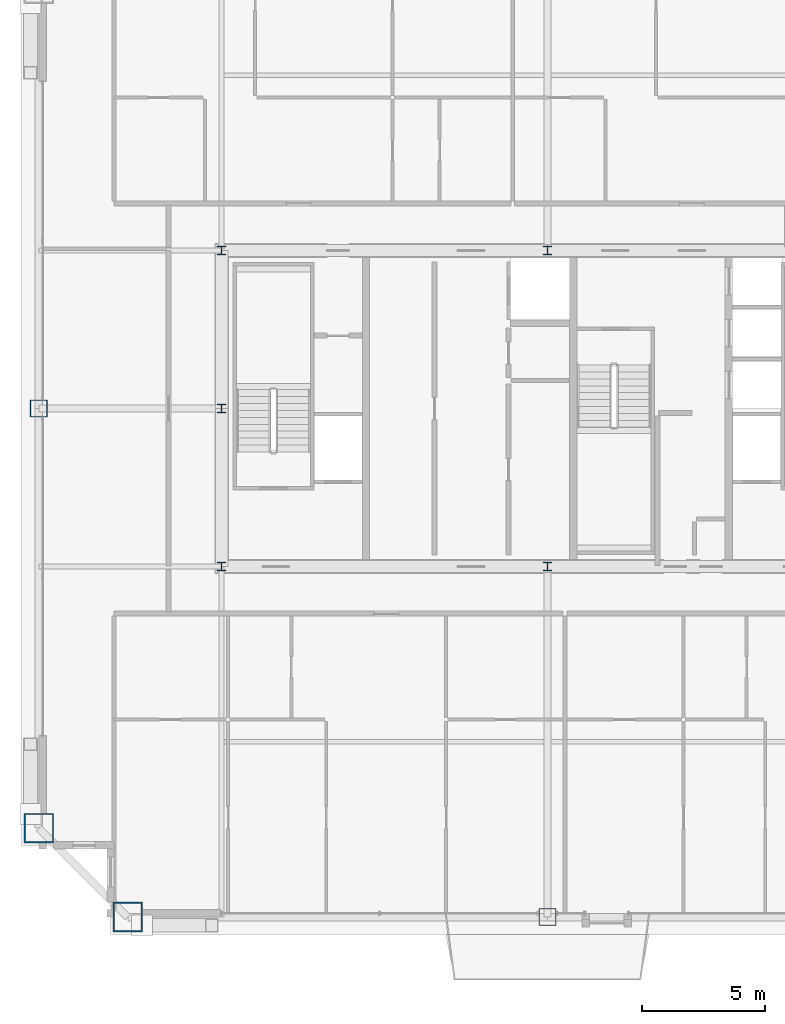
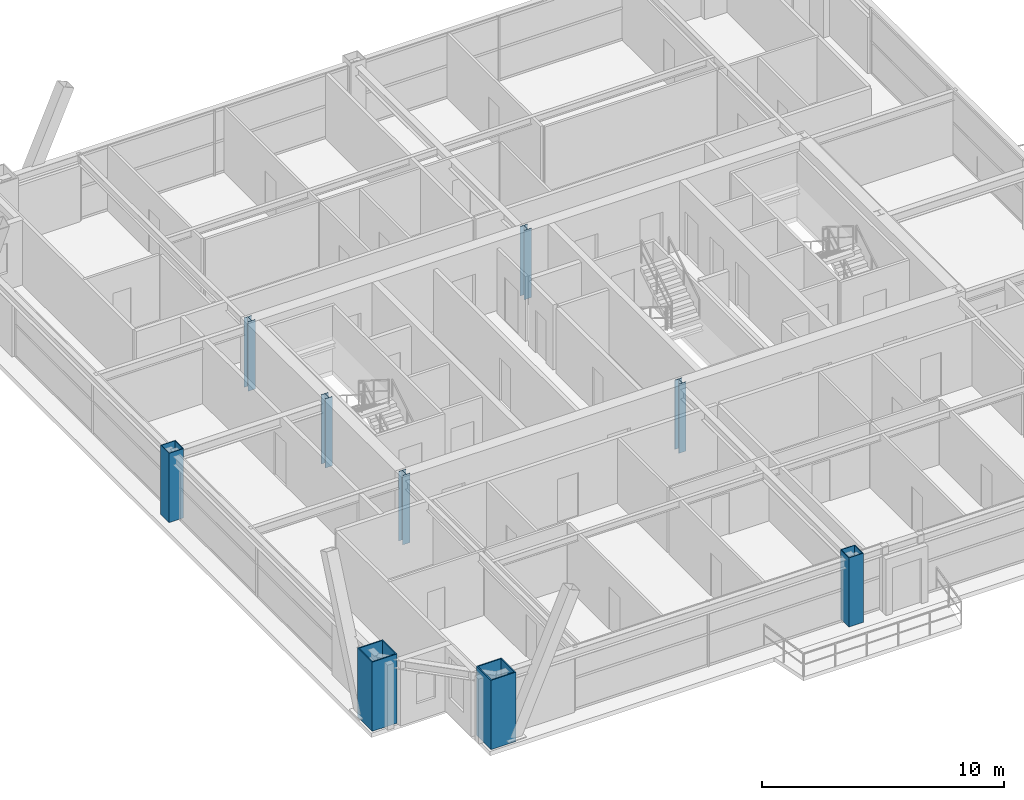
# One storey, part 1 of 37: 9 columns.
"""IFC4 building model written with IfcOpenShell, lengths in metres."""

from ifc_helpers import new_model, si_unit, direction, frame, origin, origin_2d, place, context, subcontext, project, spatial, hollow_rectangle, i_section, extrude, source, transform, mapped, material, material_profile, profile_set, type_object, element, save


model = new_model("IFC4")

# Units and contexts
model_context = context("Model", 3, precision=1e-05, world=origin(), true_north=direction((0.0, 1.0)))
body_context = subcontext(model_context, "Body", "Model", "MODEL_VIEW")
ifc_project = project(units=[si_unit("LENGTHUNIT", "METRE"), si_unit("AREAUNIT", "SQUARE_METRE"), si_unit("VOLUMEUNIT", "CUBIC_METRE"), si_unit("PLANEANGLEUNIT", "RADIAN"), si_unit("MASSUNIT", "GRAM", prefix="KILO"), si_unit("THERMODYNAMICTEMPERATUREUNIT", "KELVIN"), si_unit("POWERUNIT", "WATT")], contexts=[model_context])

# Site, building, storey
site_placement = place(None, origin())
site = spatial("IfcSite", under=ifc_project, at=site_placement, CompositionType="ELEMENT")
building_placement = place(site_placement, origin())
building = spatial("IfcBuilding", under=site, at=building_placement, Name="Yuzanri Waterfront Tower", CompositionType="ELEMENT")
storey_placement = place(building_placement, frame((0.0, 0.0, 278.60009765625)))
storey = spatial("IfcBuildingStorey", under=building, at=storey_placement, Name="L74", CompositionType="ELEMENT", Elevation=278.60009765625)

# Columns
ifc_material_1 = material(Name="Steel Q390GJC", Category="steel")
ifc_material_profile_1 = material_profile(ifc_material_1, hollow_rectangle(XDim=1.199951171875, YDim=1.199951171875, WallThickness=0.054931640625, at=origin_2d()), Name="RHS 1200x1200x55")
ifc_profile_set_1 = profile_set([ifc_material_profile_1], Name="Steel Q390GJC")
column_type_1 = type_object("IfcColumnType", Name="Mega Column Q390GJC RHS 1200x1200x55", PredefinedType="COLUMN", material=ifc_profile_set_1)
shared_shape_1 = source(origin(), body_context, "Body", "SweptSolid", [
    extrude(hollow_rectangle(XDim=1.199951171875, YDim=1.199951171875, WallThickness=0.054931640625, at=origin_2d()), origin(), (0.0, 0.0, 1.0), 3.5),
])
for number, where, z_axis, x_axis, name in (
    (1, (20.0, 5.199951171875, 0.0), (0.0, 0.0, 1.0), (1.0, 0.0, 0.0), "L74 Perimeter Mega Column S1"),
    (2, (16.39990234375, 8.800048828125, 0.0), (0.0, 0.0, 1.0), (1.0, 0.0, 0.0), "L74 Perimeter Mega Column W1"),
):
    element("IfcColumn", number, at=place(storey_placement, frame(where, z_axis=z_axis, x_axis=x_axis)), inside=storey, type_object=column_type_1, Name=name, PredefinedType="COLUMN", context=body_context, shape_type="MappedRepresentation", body=[
        mapped(shared_shape_1, transform((0.0, 0.0, 0.0), scale=1.0)),
    ])
ifc_material_2 = material(Name="Steel Q355B", Category="steel")
ifc_material_profile_2 = material_profile(ifc_material_2, hollow_rectangle(XDim=0.699951171875, YDim=0.699951171875, WallThickness=0.031982421875, at=origin_2d()), Name="RHS 700x700x32")
ifc_profile_set_2 = profile_set([ifc_material_profile_2], Name="Steel Q355B")
column_type_2 = type_object("IfcColumnType", Name="Frame Column Q355B RHS 700x700x32", PredefinedType="COLUMN", material=ifc_profile_set_2)
shared_shape_2 = source(origin(), body_context, "Body", "SweptSolid", [
    extrude(hollow_rectangle(XDim=0.699951171875, YDim=0.699951171875, WallThickness=0.031982421875, at=origin_2d()), origin(), (0.0, 0.0, 1.0), 3.5),
])
for number, where, z_axis, x_axis, name in (
    (3, (37.0, 5.199951171875, 0.0), (0.0, 0.0, 1.0), (1.0, 0.0, 0.0), "L74 Perimeter Frame Column S2"),
    (4, (16.39990234375, 25.800048828125, 0.0), (0.0, 0.0, 1.0), (1.0, 0.0, 0.0), "L74 Perimeter Frame Column W2"),
):
    element("IfcColumn", number, at=place(storey_placement, frame(where, z_axis=z_axis, x_axis=x_axis)), inside=storey, type_object=column_type_2, Name=name, PredefinedType="COLUMN", context=body_context, shape_type="MappedRepresentation", body=[
        mapped(shared_shape_2, transform((0.0, 0.0, 0.0), scale=1.0)),
    ])
ifc_material_3 = material(Name="Steel Q355B", Category="steel")
ifc_material_profile_3 = material_profile(ifc_material_3, i_section(OverallWidth=0.35009765625, OverallDepth=0.35009765625, WebThickness=0.011962890625, FlangeThickness=0.01904296875, at=origin_2d()), Name="HW 350x350x12x19")
ifc_profile_set_3 = profile_set([ifc_material_profile_3], Name="Steel Q355B")
column_type_3 = type_object("IfcColumnType", Name="Core Post Q355B HW 350x350x12x19", PredefinedType="COLUMN", material=ifc_profile_set_3)
shared_shape_3 = source(origin(), body_context, "Body", "SweptSolid", [
    extrude(i_section(OverallWidth=0.35009765625, OverallDepth=0.35009765625, WebThickness=0.011962890625, FlangeThickness=0.01904296875, at=origin_2d()), origin(), (0.0, 0.0, 1.0), 3.5),
])
for number, where, z_axis, x_axis, name in (
    (5, (23.800048828125, 19.39990234375, 0.0), (0.0, 0.0, 1.0), (1.0, 0.0, 0.0), "L74 Core Boundary Column CP1"),
    (6, (37.0, 19.39990234375, 0.0), (0.0, 0.0, 1.0), (1.0, 0.0, 0.0), "L74 Core Boundary Column CP2"),
    (7, (23.800048828125, 25.800048828125, 0.0), (0.0, 0.0, 1.0), (1.0, 0.0, 0.0), "L74 Core Boundary Column CP4"),
    (8, (23.800048828125, 32.199951171875, 0.0), (0.0, 0.0, 1.0), (1.0, 0.0, 0.0), "L74 Core Boundary Column CP6"),
    (9, (37.0, 32.199951171875, 0.0), (0.0, 0.0, 1.0), (1.0, 0.0, 0.0), "L74 Core Boundary Column CP7"),
):
    element("IfcColumn", number, at=place(storey_placement, frame(where, z_axis=z_axis, x_axis=x_axis)), inside=storey, type_object=column_type_3, Name=name, PredefinedType="COLUMN", context=body_context, shape_type="MappedRepresentation", body=[
        mapped(shared_shape_3, transform((0.0, 0.0, 0.0), scale=1.0)),
    ])

save(model, "model.ifc")
